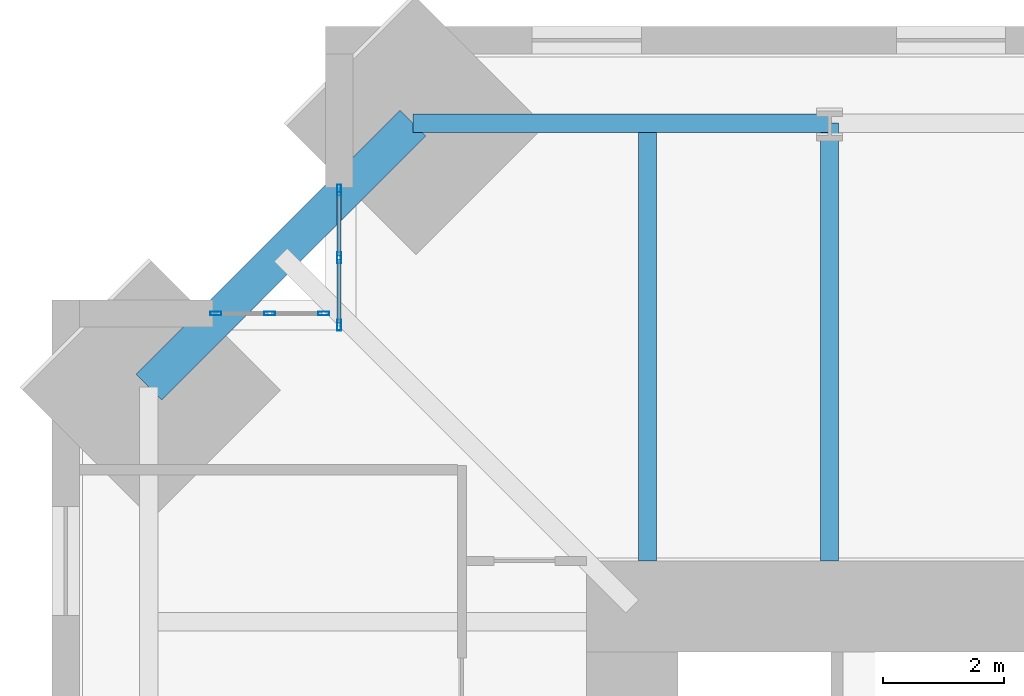
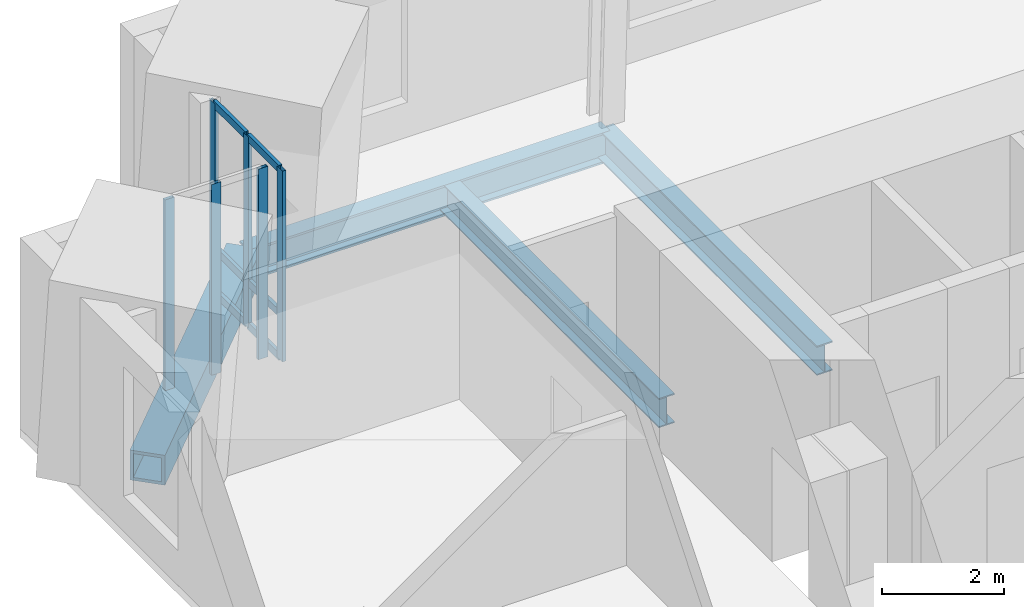
# One storey, part 6 of 15: 12 members, 4 beams, 2 elements without a shape of their own.
"""IFC4 building model written with IfcOpenShell, lengths in metres."""

from ifc_helpers import new_model, si_unit, direction, frame, origin, origin_2d, place, context, subcontext, project, spatial, hollow_rectangle, i_section, extrude, material, material_profile, profile_set, type_object, element, aggregate, save


model = new_model("IFC4")

# Units and contexts
model_context = context("Model", 3, precision=1e-05, world=origin(), true_north=direction((0.0, 1.0)))
body_context = subcontext(model_context, "Body", "Model", "MODEL_VIEW")
ifc_project = project(units=[si_unit("LENGTHUNIT", "METRE"), si_unit("AREAUNIT", "SQUARE_METRE"), si_unit("VOLUMEUNIT", "CUBIC_METRE"), si_unit("PLANEANGLEUNIT", "RADIAN"), si_unit("MASSUNIT", "GRAM", prefix="KILO")], contexts=[model_context])

# Site, building, storey
site_placement = place(None, origin())
site = spatial("IfcSite", under=ifc_project, at=site_placement, CompositionType="ELEMENT")
building_placement = place(site_placement, origin())
building = spatial("IfcBuilding", under=site, at=building_placement, Name="Peilmerk Tower", CompositionType="ELEMENT")
storey_placement = place(building_placement, frame((0.0, 0.0, 289.800048828125)))
storey = spatial("IfcBuildingStorey", under=building, at=storey_placement, Name="L65", CompositionType="ELEMENT", Elevation=289.800048828125)

# Beams
ifc_material_1 = material(Name="Steel S460", Category="steel")
ifc_material_profile_1 = material_profile(ifc_material_1, hollow_rectangle(XDim=0.60009765625, YDim=0.60009765625, WallThickness=0.06005859375, at=origin_2d()), Name="BOX 600x600x60")
ifc_profile_set_1 = profile_set([ifc_material_profile_1], Name="Steel S460")
beam_type_1 = type_object("IfcBeamType", Name="B20 BOX 600x600x60 notch beam", PredefinedType="SPANDREL", material=ifc_profile_set_1)
beam_1_placement = place(storey_placement, frame((-19.211181640625, 14.861328125, -0.469970703125), z_axis=(0.707106781187, 0.707106781187, 0.0), x_axis=(-0.707106781187, 0.707106781187, 0.0)))
element("IfcBeam", 1, at=beam_1_placement, inside=storey, type_object=beam_type_1, Name="Notch beam L65", PredefinedType="SPANDREL", context=body_context, shape_type="SweptSolid", body=[
    extrude(hollow_rectangle(XDim=0.60009765625, YDim=0.60009765625, WallThickness=0.06005859375, at=origin_2d()), origin(), (0.0, 0.0, 1.0), 6.151611328125),
])
ifc_material_2 = material(Name="Steel S355", Category="steel")
ifc_material_profile_2 = material_profile(ifc_material_2, i_section(OverallWidth=0.300048828125, OverallDepth=0.590087890625, WebThickness=0.012939453125, FlangeThickness=0.02490234375, at=origin_2d()), Name="HEA 600")
ifc_profile_set_2 = profile_set([ifc_material_profile_2], Name="Steel S355")
beam_type_2 = type_object("IfcBeamType", Name="B27 HEA 600 floor beam", PredefinedType="BEAM", material=ifc_profile_set_2)
for number, where, z_axis, x_axis, name in (
    (2, (-8.0, 12.0, -0.465087890625), (0.0, 1.0, 0.0), (-1.0, 0.0, 0.0), "Floor beam L65"),
    (3, (-11.0, 12.0, -0.465087890625), (0.0, 1.0, 0.0), (-1.0, 0.0, 0.0), "Floor beam L65"),
):
    element("IfcBeam", number, at=place(storey_placement, frame(where, z_axis=z_axis, x_axis=x_axis)), inside=storey, type_object=beam_type_2, Name=name, PredefinedType="BEAM", context=body_context, shape_type="SweptSolid", body=[
        extrude(i_section(OverallWidth=0.300048828125, OverallDepth=0.590087890625, WebThickness=0.012939453125, FlangeThickness=0.02490234375, at=origin_2d()), origin(), (0.0, 0.0, 1.0), 7.211181640625),
    ])
ifc_material_profile_3 = material_profile(ifc_material_2, i_section(OverallWidth=0.304931640625, OverallDepth=0.6201171875, WebThickness=0.02099609375, FlangeThickness=0.0400390625, at=origin_2d()), Name="HEM 600")
ifc_profile_set_3 = profile_set([ifc_material_profile_3], Name="Steel S355")
beam_type_3 = type_object("IfcBeamType", Name="B31 HEM 600 edge beam", PredefinedType="SPANDREL", material=ifc_profile_set_3)
beam_2_placement = place(storey_placement, frame((-8.0, 19.211181640625, -0.47998046875), z_axis=(-1.0, 0.0, 0.0), x_axis=(0.0, -1.0, 0.0)))
element("IfcBeam", 4, at=beam_2_placement, inside=storey, type_object=beam_type_3, Name="Edge beam L65", PredefinedType="SPANDREL", context=body_context, shape_type="SweptSolid", body=[
    extrude(i_section(OverallWidth=0.304931640625, OverallDepth=0.6201171875, WebThickness=0.02099609375, FlangeThickness=0.0400390625, at=origin_2d()), origin(), (0.0, 0.0, 1.0), 6.861328125),
])

# Curtain wall, members
ifc_material_3 = material(Name="Aluminium stick curtain wall", Category="aluminium")
curtain_wall_type = type_object("IfcCurtainWallType", Name="CW4 stick curtain wall, 2250 module", PredefinedType="NOTDEFINED", material=ifc_material_3)
curtain_wall_1_placement = place(storey_placement, origin())
curtain_wall_1 = element("IfcCurtainWall", 5, at=curtain_wall_1_placement, inside=storey, type_object=curtain_wall_type, Name="Curtain wall CW4 NWA L65", PredefinedType="NOTDEFINED")
ifc_material_4 = material(Name="Aluminium EN AW-6063 T6", Category="aluminium")
ifc_material_profile_4 = material_profile(ifc_material_4, hollow_rectangle(XDim=0.06494140625, YDim=0.179931640625, WallThickness=0.0029296875, at=origin_2d()), Name="AL 180x65x3")
ifc_profile_set_4 = profile_set([ifc_material_profile_4], Name="Aluminium EN AW-6063 T6")
member_type_1 = type_object("IfcMemberType", Name="CW4-M AL 180x65x3 mullion", PredefinedType="MULLION", material=ifc_profile_set_4)
member_1_placement = place(storey_placement, frame((-16.074951171875, 15.882568359375, 0.0), z_axis=(0.0, 0.0, 1.0), x_axis=(-1.0, 0.0, 0.0)))
member_1 = element("IfcMember", 6, at=member_1_placement, type_object=member_type_1, Name="CW4 mullion 1", PredefinedType="MULLION", context=body_context, shape_type="SweptSolid", body=[
    extrude(hollow_rectangle(XDim=0.06494140625, YDim=0.179931640625, WallThickness=0.0029296875, at=origin_2d()), origin(), (0.0, 0.0, 1.0), 3.829833984375),
])
member_2_placement = place(storey_placement, frame((-16.074951171875, 16.994384765625, 0.0), z_axis=(0.0, 0.0, 1.0), x_axis=(-1.0, 0.0, 0.0)))
member_2 = element("IfcMember", 7, at=member_2_placement, type_object=member_type_1, Name="CW4 mullion 2", PredefinedType="MULLION", context=body_context, shape_type="SweptSolid", body=[
    extrude(hollow_rectangle(XDim=0.06494140625, YDim=0.179931640625, WallThickness=0.0029296875, at=origin_2d()), origin(), (0.0, 0.0, 1.0), 3.829833984375),
])
member_3_placement = place(storey_placement, frame((-16.074951171875, 18.106201171875, 0.0), z_axis=(0.0, 0.0, 1.0), x_axis=(-1.0, 0.0, 0.0)))
member_3 = element("IfcMember", 8, at=member_3_placement, type_object=member_type_1, Name="CW4 mullion 3", PredefinedType="MULLION", context=body_context, shape_type="SweptSolid", body=[
    extrude(hollow_rectangle(XDim=0.06494140625, YDim=0.179931640625, WallThickness=0.0029296875, at=origin_2d()), origin(), (0.0, 0.0, 1.0), 3.829833984375),
])

curtain_wall_2_placement = place(storey_placement, origin())
curtain_wall_2 = element("IfcCurtainWall", 9, at=curtain_wall_2_placement, inside=storey, type_object=curtain_wall_type, Name="Curtain wall CW4 NWB L65", PredefinedType="NOTDEFINED")
member_4_placement = place(storey_placement, frame((-16.33251953125, 16.074951171875, 0.0), z_axis=(0.0, 0.0, 1.0), x_axis=(0.0, -1.0, 0.0)))
member_4 = element("IfcMember", 10, at=member_4_placement, type_object=member_type_1, Name="CW4 mullion 1", PredefinedType="MULLION", context=body_context, shape_type="SweptSolid", body=[
    extrude(hollow_rectangle(XDim=0.06494140625, YDim=0.179931640625, WallThickness=0.0029296875, at=origin_2d()), origin(), (0.0, 0.0, 1.0), 3.829833984375),
])
member_5_placement = place(storey_placement, frame((-17.21923828125, 16.074951171875, 0.0), z_axis=(0.0, 0.0, 1.0), x_axis=(0.0, -1.0, 0.0)))
member_5 = element("IfcMember", 11, at=member_5_placement, type_object=member_type_1, Name="CW4 mullion 2", PredefinedType="MULLION", context=body_context, shape_type="SweptSolid", body=[
    extrude(hollow_rectangle(XDim=0.06494140625, YDim=0.179931640625, WallThickness=0.0029296875, at=origin_2d()), origin(), (0.0, 0.0, 1.0), 3.829833984375),
])
member_6_placement = place(storey_placement, frame((-18.106201171875, 16.074951171875, 0.0), z_axis=(0.0, 0.0, 1.0), x_axis=(0.0, -1.0, 0.0)))
member_6 = element("IfcMember", 12, at=member_6_placement, type_object=member_type_1, Name="CW4 mullion 3", PredefinedType="MULLION", context=body_context, shape_type="SweptSolid", body=[
    extrude(hollow_rectangle(XDim=0.06494140625, YDim=0.179931640625, WallThickness=0.0029296875, at=origin_2d()), origin(), (0.0, 0.0, 1.0), 3.829833984375),
])
aggregate(curtain_wall_2, [member_4, member_5, member_6])

# Member
ifc_material_profile_5 = material_profile(ifc_material_4, hollow_rectangle(XDim=0.06494140625, YDim=0.14990234375, WallThickness=0.0029296875, at=origin_2d()), Name="AL 150x65x3")
ifc_profile_set_5 = profile_set([ifc_material_profile_5], Name="Aluminium EN AW-6063 T6")
member_type_2 = type_object("IfcMemberType", Name="CW4-T AL 150x65x3 transom", PredefinedType="USERDEFINED", material=ifc_profile_set_5)
member_7_placement = place(storey_placement, frame((-16.074951171875, 15.9150390625, 0.032470703125), z_axis=(0.0, 1.0, 0.0), x_axis=(-1.0, 0.0, 0.0)))
member_7 = element("IfcMember", 13, at=member_7_placement, type_object=member_type_2, Name="CW4 transom 1.1", ObjectType="TRANSOM", PredefinedType="USERDEFINED", context=body_context, shape_type="SweptSolid", body=[
    extrude(hollow_rectangle(XDim=0.06494140625, YDim=0.14990234375, WallThickness=0.0029296875, at=origin_2d()), origin(), (0.0, 0.0, 1.0), 1.046875),
])

member_8_placement = place(storey_placement, frame((-16.074951171875, 15.9150390625, 0.89990234375), z_axis=(0.0, 1.0, 0.0), x_axis=(-1.0, 0.0, 0.0)))
member_8 = element("IfcMember", 14, at=member_8_placement, type_object=member_type_2, Name="CW4 transom 1.2", ObjectType="TRANSOM", PredefinedType="USERDEFINED", context=body_context, shape_type="SweptSolid", body=[
    extrude(hollow_rectangle(XDim=0.06494140625, YDim=0.14990234375, WallThickness=0.0029296875, at=origin_2d()), origin(), (0.0, 0.0, 1.0), 1.046875),
])

member_9_placement = place(storey_placement, frame((-16.074951171875, 15.9150390625, 3.79736328125), z_axis=(0.0, 1.0, 0.0), x_axis=(-1.0, 0.0, 0.0)))
member_9 = element("IfcMember", 15, at=member_9_placement, type_object=member_type_2, Name="CW4 transom 1.3", ObjectType="TRANSOM", PredefinedType="USERDEFINED", context=body_context, shape_type="SweptSolid", body=[
    extrude(hollow_rectangle(XDim=0.06494140625, YDim=0.14990234375, WallThickness=0.0029296875, at=origin_2d()), origin(), (0.0, 0.0, 1.0), 1.046875),
])

member_10_placement = place(storey_placement, frame((-16.074951171875, 17.02685546875, 0.032470703125), z_axis=(0.0, 1.0, 0.0), x_axis=(-1.0, 0.0, 0.0)))
member_10 = element("IfcMember", 16, at=member_10_placement, type_object=member_type_2, Name="CW4 transom 2.1", ObjectType="TRANSOM", PredefinedType="USERDEFINED", context=body_context, shape_type="SweptSolid", body=[
    extrude(hollow_rectangle(XDim=0.06494140625, YDim=0.14990234375, WallThickness=0.0029296875, at=origin_2d()), origin(), (0.0, 0.0, 1.0), 1.046875),
])

member_11_placement = place(storey_placement, frame((-16.074951171875, 17.02685546875, 0.89990234375), z_axis=(0.0, 1.0, 0.0), x_axis=(-1.0, 0.0, 0.0)))
member_11 = element("IfcMember", 17, at=member_11_placement, type_object=member_type_2, Name="CW4 transom 2.2", ObjectType="TRANSOM", PredefinedType="USERDEFINED", context=body_context, shape_type="SweptSolid", body=[
    extrude(hollow_rectangle(XDim=0.06494140625, YDim=0.14990234375, WallThickness=0.0029296875, at=origin_2d()), origin(), (0.0, 0.0, 1.0), 1.046875),
])

member_12_placement = place(storey_placement, frame((-16.074951171875, 17.02685546875, 3.79736328125), z_axis=(0.0, 1.0, 0.0), x_axis=(-1.0, 0.0, 0.0)))
member_12 = element("IfcMember", 18, at=member_12_placement, type_object=member_type_2, Name="CW4 transom 2.3", ObjectType="TRANSOM", PredefinedType="USERDEFINED", context=body_context, shape_type="SweptSolid", body=[
    extrude(hollow_rectangle(XDim=0.06494140625, YDim=0.14990234375, WallThickness=0.0029296875, at=origin_2d()), origin(), (0.0, 0.0, 1.0), 1.046875),
])

aggregate(curtain_wall_1, [member_1, member_2, member_3, member_7, member_8, member_9, member_10, member_11, member_12])

save(model, "model.ifc")
